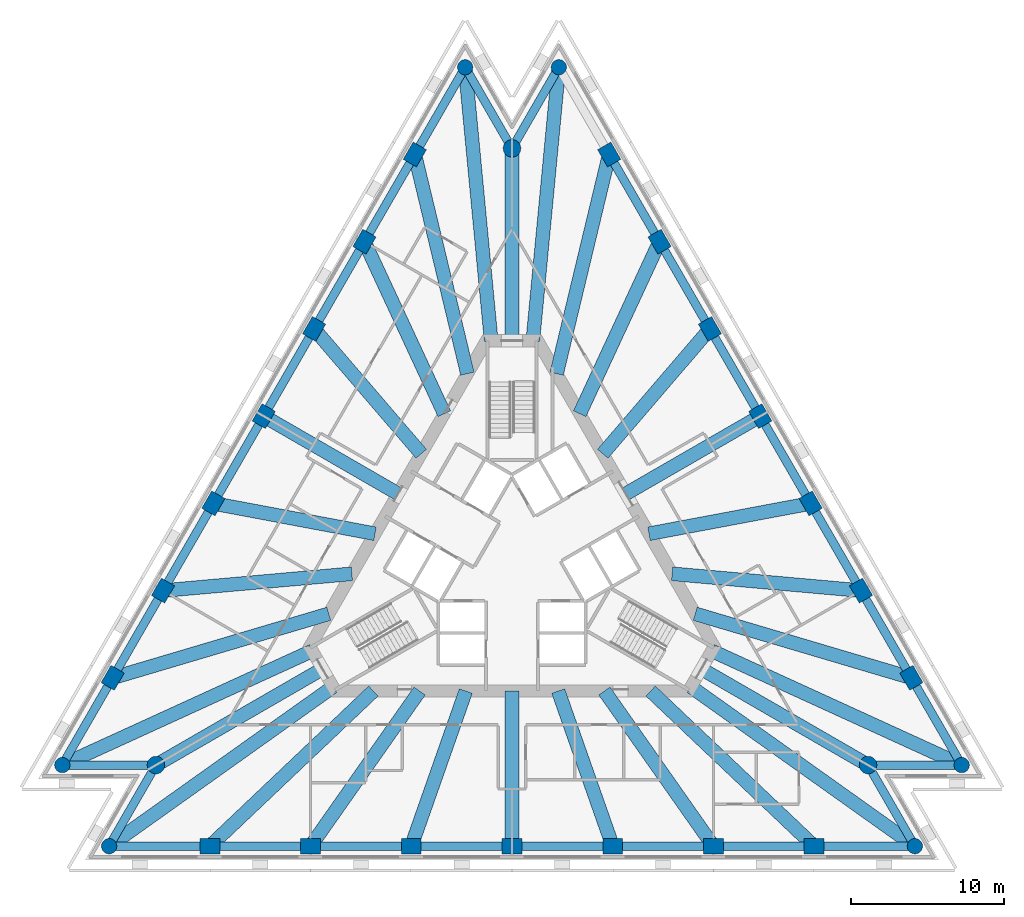
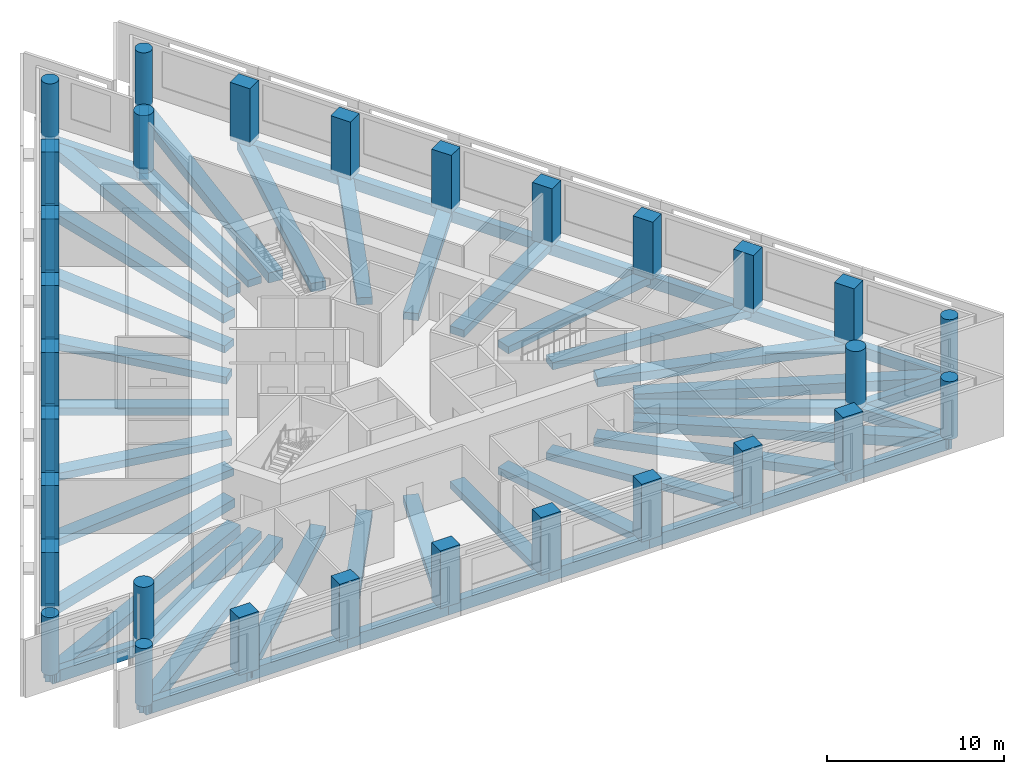
# One storey, part 1 of 10: 59 beams, 30 columns.
"""IFC4 building model written with IfcOpenShell, lengths in metres."""

from ifc_helpers import new_model, si_unit, direction, frame, origin, origin_2d, place, context, subcontext, project, spatial, rectangle, circle, extrude, material, material_profile, profile_set, type_object, element, save


model = new_model("IFC4")

# Units and contexts
model_context = context("Model", 3, precision=1e-05, world=origin(), true_north=direction((0.0, 1.0)))
body_context = subcontext(model_context, "Body", "Model", "MODEL_VIEW")
ifc_project = project(units=[si_unit("LENGTHUNIT", "METRE"), si_unit("AREAUNIT", "SQUARE_METRE"), si_unit("VOLUMEUNIT", "CUBIC_METRE"), si_unit("PLANEANGLEUNIT", "RADIAN"), si_unit("MASSUNIT", "GRAM", prefix="KILO")], contexts=[model_context])

# Site, building, storey
site_placement = place(None, origin())
site = spatial("IfcSite", under=ifc_project, at=site_placement, CompositionType="ELEMENT")
building_placement = place(site_placement, origin())
building = spatial("IfcBuilding", under=site, at=building_placement, Name="Triada Interchange Tower", CompositionType="ELEMENT")
storey_placement = place(building_placement, frame((0.0, 0.0, 160.300048828125)))
storey = spatial("IfcBuildingStorey", under=building, at=storey_placement, Name="L37", CompositionType="ELEMENT", Elevation=160.300048828125)

# Columns
ifc_material_1 = material(Name="Concrete C60/75", Category="concrete")
ifc_material_profile_1 = material_profile(ifc_material_1, rectangle(XDim=1.300048828125, YDim=1.0, at=origin_2d()), Name="RC 1300x1000")
ifc_profile_set_1 = profile_set([ifc_material_profile_1], Name="Concrete C60/75")
column_type_1 = type_object("IfcColumnType", Name="Column B face RC 1300x1000", PredefinedType="COLUMN", material=ifc_profile_set_1)
for number, where, z_axis, x_axis, name in (
    (1, (-6.35595703125, 26.48388671875, -0.300048828125), (0.0, 0.0, 1.0), (0.5, 0.866025403784, 0.0), "Column CB02 L37"),
    (2, (-9.64892578125, 20.781005859375, -0.300048828125), (0.0, 0.0, 1.0), (0.5, 0.866025403784, 0.0), "Column CB03 L37"),
    (3, (-12.94189453125, 15.076904296875, -0.300048828125), (0.0, 0.0, 1.0), (0.5, 0.866025403784, 0.0), "Column CB04 L37"),
    (4, (-16.23388671875, 9.373046875, -0.300048828125), (0.0, 0.0, 1.0), (0.5, 0.866025403784, 0.0), "Column CB05 L37"),
    (5, (-19.527099609375, 3.6689453125, -0.300048828125), (0.0, 0.0, 1.0), (0.5, 0.866025403784, 0.0), "Column CB06 L37"),
    (6, (-22.820068359375, -2.034912109375, -0.300048828125), (0.0, 0.0, 1.0), (0.5, 0.866025403784, 0.0), "Column CB07 L37"),
    (7, (-26.113037109375, -7.738037109375, -0.300048828125), (0.0, 0.0, 1.0), (0.5, 0.866025403784, 0.0), "Column CB08 L37"),
    (8, (-19.758056640625, -18.74609375, -0.300048828125), (0.0, 0.0, 1.0), (1.0, 0.0, 0.0), "Column CB11 L37"),
    (9, (-13.172119140625, -18.74609375, -0.300048828125), (0.0, 0.0, 1.0), (1.0, 0.0, 0.0), "Column CB12 L37"),
    (10, (-6.5859375, -18.74609375, -0.300048828125), (0.0, 0.0, 1.0), (1.0, 0.0, 0.0), "Column CB13 L37"),
    (11, (0.0, -18.74609375, -0.300048828125), (0.0, 0.0, 1.0), (1.0, 0.0, 0.0), "Column CB14 L37"),
    (12, (6.5859375, -18.74609375, -0.300048828125), (0.0, 0.0, 1.0), (1.0, 0.0, 0.0), "Column CB15 L37"),
    (13, (13.172119140625, -18.74609375, -0.300048828125), (0.0, 0.0, 1.0), (1.0, 0.0, 0.0), "Column CB16 L37"),
    (14, (19.758056640625, -18.74609375, -0.300048828125), (0.0, 0.0, 1.0), (1.0, 0.0, 0.0), "Column CB17 L37"),
    (15, (26.113037109375, -7.738037109375, -0.300048828125), (0.0, 0.0, 1.0), (-0.5, 0.866025403784, 0.0), "Column CB20 L37"),
    (16, (22.820068359375, -2.033935546875, -0.300048828125), (0.0, 0.0, 1.0), (-0.5, 0.866025403784, 0.0), "Column CB21 L37"),
    (17, (19.527099609375, 3.6689453125, -0.300048828125), (0.0, 0.0, 1.0), (-0.5, 0.866025403784, 0.0), "Column CB22 L37"),
    (18, (16.23388671875, 9.373046875, -0.300048828125), (0.0, 0.0, 1.0), (-0.5, 0.866025403784, 0.0), "Column CB23 L37"),
    (19, (12.94189453125, 15.076904296875, -0.300048828125), (0.0, 0.0, 1.0), (-0.5, 0.866025403784, 0.0), "Column CB24 L37"),
    (20, (9.64892578125, 20.781005859375, -0.300048828125), (0.0, 0.0, 1.0), (-0.5, 0.866025403784, 0.0), "Column CB25 L37"),
    (21, (6.35595703125, 26.48388671875, -0.300048828125), (0.0, 0.0, 1.0), (-0.5, 0.866025403784, 0.0), "Column CB26 L37"),
):
    element("IfcColumn", number, at=place(storey_placement, frame(where, z_axis=z_axis, x_axis=x_axis)), inside=storey, type_object=column_type_1, Name=name, PredefinedType="COLUMN", context=body_context, shape_type="SweptSolid", body=[
        extrude(rectangle(XDim=1.300048828125, YDim=1.0, at=origin_2d()), origin(), (0.0, 0.0, 1.0), 4.0),
    ])
ifc_material_profile_2 = material_profile(ifc_material_1, circle(Radius=0.5, at=origin_2d()), Name="RC D1000")
ifc_profile_set_2 = profile_set([ifc_material_profile_2], Name="Concrete C60/75")
column_type_2 = type_object("IfcColumnType", Name="End column B RC D1000", PredefinedType="COLUMN", material=ifc_profile_set_2)
for number, where, z_axis, x_axis, name in (
    (22, (-3.06298828125, 32.18798828125, -0.300048828125), (0.0, 0.0, 1.0), (0.5, 0.866025403784, 0.0), "Column CB01 L37"),
    (23, (-29.406005859375, -13.44189453125, -0.300048828125), (0.0, 0.0, 1.0), (0.5, 0.866025403784, 0.0), "Column CB09 L37"),
    (24, (-26.343994140625, -18.74609375, -0.300048828125), (0.0, 0.0, 1.0), (1.0, 0.0, 0.0), "Column CB10 L37"),
    (25, (26.343994140625, -18.74609375, -0.300048828125), (0.0, 0.0, 1.0), (1.0, 0.0, 0.0), "Column CB18 L37"),
    (26, (29.406005859375, -13.44189453125, -0.300048828125), (0.0, 0.0, 1.0), (-0.5, 0.866025403784, 0.0), "Column CB19 L37"),
    (27, (3.06298828125, 32.18798828125, -0.300048828125), (0.0, 0.0, 1.0), (-0.5, 0.866025403784, 0.0), "Column CB27 L37"),
):
    element("IfcColumn", number, at=place(storey_placement, frame(where, z_axis=z_axis, x_axis=x_axis)), inside=storey, type_object=column_type_2, Name=name, PredefinedType="COLUMN", context=body_context, shape_type="SweptSolid", body=[
        extrude(circle(Radius=0.5, at=origin_2d()), origin(), (0.0, 0.0, 1.0), 4.0),
    ])
ifc_material_profile_3 = material_profile(ifc_material_1, circle(Radius=0.574951171875, at=origin_2d()), Name="RC D1150")
ifc_profile_set_3 = profile_set([ifc_material_profile_3], Name="Concrete C60/75")
column_type_3 = type_object("IfcColumnType", Name="Mega column B RC D1150", PredefinedType="COLUMN", material=ifc_profile_set_3)
for number, where, z_axis, x_axis, name in (
    (28, (0.0, 26.883056640625, -0.300048828125), (0.0, 0.0, 1.0), (1.0, 0.0, 0.0), "Column MB1 L37"),
    (29, (-23.281005859375, -13.44189453125, -0.300048828125), (0.0, 0.0, 1.0), (1.0, 0.0, 0.0), "Column MB2 L37"),
    (30, (23.281005859375, -13.44189453125, -0.300048828125), (0.0, 0.0, 1.0), (1.0, 0.0, 0.0), "Column MB3 L37"),
):
    element("IfcColumn", number, at=place(storey_placement, frame(where, z_axis=z_axis, x_axis=x_axis)), inside=storey, type_object=column_type_3, Name=name, PredefinedType="COLUMN", context=body_context, shape_type="SweptSolid", body=[
        extrude(circle(Radius=0.574951171875, at=origin_2d()), origin(), (0.0, 0.0, 1.0), 4.0),
    ])

# Beams
ifc_material_2 = material(Name="Concrete C50/60", Category="concrete")
ifc_material_profile_4 = material_profile(ifc_material_2, rectangle(XDim=0.89990234375, YDim=0.5, at=origin_2d()), Name="RC 900x500")
ifc_profile_set_4 = profile_set([ifc_material_profile_4], Name="Concrete C50/60")
beam_type_1 = type_object("IfcBeamType", Name="Radial band beam B RC 900x500", PredefinedType="BEAM", material=ifc_profile_set_4)
beam_1_placement = place(storey_placement, frame((-9.64892578125, 20.781005859375, -0.550048828125), z_axis=(0.421150637496, -0.906990705871, 0.0), x_axis=(0.906990705871, 0.421150637496, 0.0)))
element("IfcBeam", 31, at=beam_1_placement, inside=storey, type_object=beam_type_1, Name="Radial band beam BB03 L37", PredefinedType="BEAM", context=body_context, shape_type="SweptSolid", body=[
    extrude(rectangle(XDim=0.89990234375, YDim=0.5, at=origin_2d()), origin(), (0.0, 0.0, 1.0), 12.401611328125),
])
beam_2_placement = place(storey_placement, frame((-12.94189453125, 15.076904296875, -0.550048828125), z_axis=(0.651318398791, -0.758804548877, 0.0), x_axis=(0.758804548877, 0.651318398791, 0.0)))
element("IfcBeam", 32, at=beam_2_placement, inside=storey, type_object=beam_type_1, Name="Radial band beam BB04 L37", PredefinedType="BEAM", context=body_context, shape_type="SweptSolid", body=[
    extrude(rectangle(XDim=0.89990234375, YDim=0.5, at=origin_2d()), origin(), (0.0, 0.0, 1.0), 10.7548828125),
])
beam_3_placement = place(storey_placement, frame((-16.23388671875, 9.373046875, -0.550048828125), z_axis=(0.866005647856, -0.500034216711, 0.0), x_axis=(0.500034216711, 0.866005647856, 0.0)))
element("IfcBeam", 33, at=beam_3_placement, inside=storey, type_object=beam_type_1, Name="Radial band beam BB05 L37", PredefinedType="BEAM", context=body_context, shape_type="SweptSolid", body=[
    extrude(rectangle(XDim=0.89990234375, YDim=0.5, at=origin_2d()), origin(), (0.0, 0.0, 1.0), 10.145263671875),
])
beam_4_placement = place(storey_placement, frame((-19.527099609375, 3.6689453125, -0.550048828125), z_axis=(0.982802467996, -0.18465998186, 0.0), x_axis=(0.18465998186, 0.982802467996, 0.0)))
element("IfcBeam", 34, at=beam_4_placement, inside=storey, type_object=beam_type_1, Name="Radial band beam BB06 L37", PredefinedType="BEAM", context=body_context, shape_type="SweptSolid", body=[
    extrude(rectangle(XDim=0.89990234375, YDim=0.5, at=origin_2d()), origin(), (0.0, 0.0, 1.0), 10.754150390625),
])
beam_5_placement = place(storey_placement, frame((-22.820068359375, -2.034912109375, -0.550048828125), z_axis=(0.996051583015, 0.088776370583, 0.0), x_axis=(-0.088776370583, 0.996051583015, 0.0)))
element("IfcBeam", 35, at=beam_5_placement, inside=storey, type_object=beam_type_1, Name="Radial band beam BB07 L37", PredefinedType="BEAM", context=body_context, shape_type="SweptSolid", body=[
    extrude(rectangle(XDim=0.89990234375, YDim=0.5, at=origin_2d()), origin(), (0.0, 0.0, 1.0), 12.400146484375),
])
beam_6_placement = place(storey_placement, frame((-23.281005859375, -13.44189453125, -0.550048828125), z_axis=(0.866003995359, 0.500037078648, 0.0), x_axis=(-0.500037078648, 0.866003995359, 0.0)))
element("IfcBeam", 36, at=beam_6_placement, inside=storey, type_object=beam_type_1, Name="Radial band beam BB10 L37", PredefinedType="BEAM", context=body_context, shape_type="SweptSolid", body=[
    extrude(rectangle(XDim=0.89990234375, YDim=0.5, at=origin_2d()), origin(), (0.0, 0.0, 1.0), 12.5830078125),
])
beam_7_placement = place(storey_placement, frame((-13.172119140625, -18.74609375, -0.550048828125), z_axis=(0.57492022482, 0.818209468958, 0.0), x_axis=(-0.818209468958, 0.57492022482, 0.0)))
element("IfcBeam", 37, at=beam_7_placement, inside=storey, type_object=beam_type_1, Name="Radial band beam BB13 L37", PredefinedType="BEAM", context=body_context, shape_type="SweptSolid", body=[
    extrude(rectangle(XDim=0.89990234375, YDim=0.5, at=origin_2d()), origin(), (0.0, 0.0, 1.0), 12.400146484375),
])
beam_8_placement = place(storey_placement, frame((-6.5859375, -18.74609375, -0.550048828125), z_axis=(0.331496918005, 0.943456301772, 0.0), x_axis=(-0.943456301772, 0.331496918005, 0.0)))
element("IfcBeam", 38, at=beam_8_placement, inside=storey, type_object=beam_type_1, Name="Radial band beam BB14 L37", PredefinedType="BEAM", context=body_context, shape_type="SweptSolid", body=[
    extrude(rectangle(XDim=0.89990234375, YDim=0.5, at=origin_2d()), origin(), (0.0, 0.0, 1.0), 10.754150390625),
])
beam_9_placement = place(storey_placement, frame((0.0, -18.74609375, -0.550048828125), z_axis=(0.0, 1.0, 0.0), x_axis=(-1.0, 0.0, 0.0)))
element("IfcBeam", 39, at=beam_9_placement, inside=storey, type_object=beam_type_1, Name="Radial band beam BB15 L37", PredefinedType="BEAM", context=body_context, shape_type="SweptSolid", body=[
    extrude(rectangle(XDim=0.89990234375, YDim=0.5, at=origin_2d()), origin(), (0.0, 0.0, 1.0), 10.14599609375),
])
beam_10_placement = place(storey_placement, frame((6.5859375, -18.74609375, -0.550048828125), z_axis=(-0.331496918005, 0.943456301772, 0.0), x_axis=(-0.943456301772, -0.331496918005, 0.0)))
element("IfcBeam", 40, at=beam_10_placement, inside=storey, type_object=beam_type_1, Name="Radial band beam BB16 L37", PredefinedType="BEAM", context=body_context, shape_type="SweptSolid", body=[
    extrude(rectangle(XDim=0.89990234375, YDim=0.5, at=origin_2d()), origin(), (0.0, 0.0, 1.0), 10.754150390625),
])
beam_11_placement = place(storey_placement, frame((13.172119140625, -18.74609375, -0.550048828125), z_axis=(-0.57492022482, 0.818209468958, 0.0), x_axis=(-0.818209468958, -0.57492022482, 0.0)))
element("IfcBeam", 41, at=beam_11_placement, inside=storey, type_object=beam_type_1, Name="Radial band beam BB17 L37", PredefinedType="BEAM", context=body_context, shape_type="SweptSolid", body=[
    extrude(rectangle(XDim=0.89990234375, YDim=0.5, at=origin_2d()), origin(), (0.0, 0.0, 1.0), 12.400146484375),
])
beam_12_placement = place(storey_placement, frame((23.281005859375, -13.44189453125, -0.550048828125), z_axis=(-0.866003995359, 0.500037078648, 0.0), x_axis=(-0.500037078648, -0.866003995359, 0.0)))
element("IfcBeam", 42, at=beam_12_placement, inside=storey, type_object=beam_type_1, Name="Radial band beam BB20 L37", PredefinedType="BEAM", context=body_context, shape_type="SweptSolid", body=[
    extrude(rectangle(XDim=0.89990234375, YDim=0.5, at=origin_2d()), origin(), (0.0, 0.0, 1.0), 12.5830078125),
])
beam_13_placement = place(storey_placement, frame((22.820068359375, -2.033935546875, -0.550048828125), z_axis=(-0.996051583015, 0.088776370583, 0.0), x_axis=(-0.088776370583, -0.996051583015, 0.0)))
element("IfcBeam", 43, at=beam_13_placement, inside=storey, type_object=beam_type_1, Name="Radial band beam BB23 L37", PredefinedType="BEAM", context=body_context, shape_type="SweptSolid", body=[
    extrude(rectangle(XDim=0.89990234375, YDim=0.5, at=origin_2d()), origin(), (0.0, 0.0, 1.0), 12.400146484375),
])
beam_14_placement = place(storey_placement, frame((19.527099609375, 3.6689453125, -0.550048828125), z_axis=(-0.982802467996, -0.18465998186, 0.0), x_axis=(0.18465998186, -0.982802467996, 0.0)))
element("IfcBeam", 44, at=beam_14_placement, inside=storey, type_object=beam_type_1, Name="Radial band beam BB24 L37", PredefinedType="BEAM", context=body_context, shape_type="SweptSolid", body=[
    extrude(rectangle(XDim=0.89990234375, YDim=0.5, at=origin_2d()), origin(), (0.0, 0.0, 1.0), 10.754150390625),
])
beam_15_placement = place(storey_placement, frame((16.23388671875, 9.373046875, -0.550048828125), z_axis=(-0.866005647856, -0.500034216711, 0.0), x_axis=(0.500034216711, -0.866005647856, 0.0)))
element("IfcBeam", 45, at=beam_15_placement, inside=storey, type_object=beam_type_1, Name="Radial band beam BB25 L37", PredefinedType="BEAM", context=body_context, shape_type="SweptSolid", body=[
    extrude(rectangle(XDim=0.89990234375, YDim=0.5, at=origin_2d()), origin(), (0.0, 0.0, 1.0), 10.145263671875),
])
beam_16_placement = place(storey_placement, frame((12.94189453125, 15.076904296875, -0.550048828125), z_axis=(-0.651318398791, -0.758804548877, 0.0), x_axis=(0.758804548877, -0.651318398791, 0.0)))
element("IfcBeam", 46, at=beam_16_placement, inside=storey, type_object=beam_type_1, Name="Radial band beam BB26 L37", PredefinedType="BEAM", context=body_context, shape_type="SweptSolid", body=[
    extrude(rectangle(XDim=0.89990234375, YDim=0.5, at=origin_2d()), origin(), (0.0, 0.0, 1.0), 10.7548828125),
])
beam_17_placement = place(storey_placement, frame((9.64892578125, 20.781005859375, -0.550048828125), z_axis=(-0.421150637496, -0.906990705871, 0.0), x_axis=(0.906990705871, -0.421150637496, 0.0)))
element("IfcBeam", 47, at=beam_17_placement, inside=storey, type_object=beam_type_1, Name="Radial band beam BB27 L37", PredefinedType="BEAM", context=body_context, shape_type="SweptSolid", body=[
    extrude(rectangle(XDim=0.89990234375, YDim=0.5, at=origin_2d()), origin(), (0.0, 0.0, 1.0), 12.401611328125),
])
beam_18_placement = place(storey_placement, frame((0.0, 26.883056640625, -0.550048828125), z_axis=(0.0, -1.0, 0.0), x_axis=(1.0, 0.0, 0.0)))
element("IfcBeam", 48, at=beam_18_placement, inside=storey, type_object=beam_type_1, Name="Radial band beam BB30 L37", PredefinedType="BEAM", context=body_context, shape_type="SweptSolid", body=[
    extrude(rectangle(XDim=0.89990234375, YDim=0.5, at=origin_2d()), origin(), (0.0, 0.0, 1.0), 12.5830078125),
])
ifc_material_profile_5 = material_profile(ifc_material_2, rectangle(XDim=0.89990234375, YDim=0.60009765625, at=origin_2d()), Name="RC 900x600")
ifc_profile_set_5 = profile_set([ifc_material_profile_5], Name="Concrete C50/60")
beam_type_2 = type_object("IfcBeamType", Name="Radial band beam B RC 900x600", PredefinedType="BEAM", material=ifc_profile_set_5)
beam_19_placement = place(storey_placement, frame((-6.35595703125, 26.48388671875, -0.60009765625), z_axis=(0.233344139784, -0.972394216575, 0.0), x_axis=(0.972394216575, 0.233344139784, 0.0)))
element("IfcBeam", 49, at=beam_19_placement, inside=storey, type_object=beam_type_2, Name="Radial band beam BB02 L37", PredefinedType="BEAM", context=body_context, shape_type="SweptSolid", body=[
    extrude(rectangle(XDim=0.89990234375, YDim=0.60009765625, at=origin_2d()), origin(), (0.0, 0.0, 1.0), 14.741943359375),
])
beam_20_placement = place(storey_placement, frame((-26.113037109375, -7.738037109375, -0.60009765625), z_axis=(0.958790426324, 0.28411426995, 0.0), x_axis=(-0.28411426995, 0.958790426324, 0.0)))
element("IfcBeam", 50, at=beam_20_placement, inside=storey, type_object=beam_type_2, Name="Radial band beam BB08 L37", PredefinedType="BEAM", context=body_context, shape_type="SweptSolid", body=[
    extrude(rectangle(XDim=0.89990234375, YDim=0.60009765625, at=origin_2d()), origin(), (0.0, 0.0, 1.0), 14.740478515625),
])
for number, where, z_axis, x_axis, name in (
    (51, (-19.758056640625, -18.74609375, -0.60009765625), (0.725452884593, 0.688271830192, 0.0), (-0.688271830192, 0.725452884593, 0.0), "Radial band beam BB12 L37"),
    (52, (19.758056640625, -18.74609375, -0.60009765625), (-0.725452884593, 0.688271830192, 0.0), (-0.688271830192, -0.725452884593, 0.0), "Radial band beam BB18 L37"),
):
    element("IfcBeam", number, at=place(storey_placement, frame(where, z_axis=z_axis, x_axis=x_axis)), inside=storey, type_object=beam_type_2, Name=name, PredefinedType="BEAM", context=body_context, shape_type="SweptSolid", body=[
        extrude(rectangle(XDim=0.89990234375, YDim=0.60009765625, at=origin_2d()), origin(), (0.0, 0.0, 1.0), 14.7412109375),
    ])
beam_21_placement = place(storey_placement, frame((26.113037109375, -7.738037109375, -0.60009765625), z_axis=(-0.958790426324, 0.28411426995, 0.0), x_axis=(-0.28411426995, -0.958790426324, 0.0)))
element("IfcBeam", 53, at=beam_21_placement, inside=storey, type_object=beam_type_2, Name="Radial band beam BB22 L37", PredefinedType="BEAM", context=body_context, shape_type="SweptSolid", body=[
    extrude(rectangle(XDim=0.89990234375, YDim=0.60009765625, at=origin_2d()), origin(), (0.0, 0.0, 1.0), 14.740478515625),
])
beam_22_placement = place(storey_placement, frame((6.35595703125, 26.48388671875, -0.60009765625), z_axis=(-0.233344139784, -0.972394216575, 0.0), x_axis=(0.972394216575, -0.233344139784, 0.0)))
element("IfcBeam", 54, at=beam_22_placement, inside=storey, type_object=beam_type_2, Name="Radial band beam BB28 L37", PredefinedType="BEAM", context=body_context, shape_type="SweptSolid", body=[
    extrude(rectangle(XDim=0.89990234375, YDim=0.60009765625, at=origin_2d()), origin(), (0.0, 0.0, 1.0), 14.741943359375),
])
ifc_material_profile_6 = material_profile(ifc_material_2, rectangle(XDim=0.89990234375, YDim=0.699951171875, at=origin_2d()), Name="RC 900x700")
ifc_profile_set_6 = profile_set([ifc_material_profile_6], Name="Concrete C50/60")
beam_type_3 = type_object("IfcBeamType", Name="Radial band beam B RC 900x700", PredefinedType="BEAM", material=ifc_profile_set_6)
beam_23_placement = place(storey_placement, frame((-3.06298828125, 32.18798828125, -0.650146484375), z_axis=(0.094714838253, -0.995504444699, 0.0), x_axis=(0.995504444699, 0.094714838253, 0.0)))
element("IfcBeam", 55, at=beam_23_placement, inside=storey, type_object=beam_type_3, Name="Radial band beam BB01 L37", PredefinedType="BEAM", context=body_context, shape_type="SweptSolid", body=[
    extrude(rectangle(XDim=0.89990234375, YDim=0.699951171875, at=origin_2d()), origin(), (0.0, 0.0, 1.0), 17.96875),
])
beam_24_placement = place(storey_placement, frame((-29.406005859375, -13.44189453125, -0.650146484375), z_axis=(0.909488713667, 0.415728613055, 0.0), x_axis=(-0.415728613055, 0.909488713667, 0.0)))
element("IfcBeam", 56, at=beam_24_placement, inside=storey, type_object=beam_type_3, Name="Radial band beam BB09 L37", PredefinedType="BEAM", context=body_context, shape_type="SweptSolid", body=[
    extrude(rectangle(XDim=0.89990234375, YDim=0.699951171875, at=origin_2d()), origin(), (0.0, 0.0, 1.0), 17.96826171875),
])
for number, where, z_axis, x_axis, name in (
    (57, (-26.343994140625, -18.74609375, -0.650146484375), (0.814754921858, 0.579805499549, 0.0), (-0.579805499549, 0.814754921858, 0.0), "Radial band beam BB11 L37"),
    (58, (26.343994140625, -18.74609375, -0.650146484375), (-0.814754921858, 0.579805499549, 0.0), (-0.579805499549, -0.814754921858, 0.0), "Radial band beam BB19 L37"),
):
    element("IfcBeam", number, at=place(storey_placement, frame(where, z_axis=z_axis, x_axis=x_axis)), inside=storey, type_object=beam_type_3, Name=name, PredefinedType="BEAM", context=body_context, shape_type="SweptSolid", body=[
        extrude(rectangle(XDim=0.89990234375, YDim=0.699951171875, at=origin_2d()), origin(), (0.0, 0.0, 1.0), 17.968505859375),
    ])
beam_25_placement = place(storey_placement, frame((29.406005859375, -13.44189453125, -0.650146484375), z_axis=(-0.909488713667, 0.415728613055, 0.0), x_axis=(-0.415728613055, -0.909488713667, 0.0)))
element("IfcBeam", 59, at=beam_25_placement, inside=storey, type_object=beam_type_3, Name="Radial band beam BB21 L37", PredefinedType="BEAM", context=body_context, shape_type="SweptSolid", body=[
    extrude(rectangle(XDim=0.89990234375, YDim=0.699951171875, at=origin_2d()), origin(), (0.0, 0.0, 1.0), 17.96826171875),
])
beam_26_placement = place(storey_placement, frame((3.06298828125, 32.18798828125, -0.650146484375), z_axis=(-0.094714838253, -0.995504444699, 0.0), x_axis=(0.995504444699, -0.094714838253, 0.0)))
element("IfcBeam", 60, at=beam_26_placement, inside=storey, type_object=beam_type_3, Name="Radial band beam BB29 L37", PredefinedType="BEAM", context=body_context, shape_type="SweptSolid", body=[
    extrude(rectangle(XDim=0.89990234375, YDim=0.699951171875, at=origin_2d()), origin(), (0.0, 0.0, 1.0), 17.96875),
])
ifc_material_profile_7 = material_profile(ifc_material_2, rectangle(XDim=0.550048828125, YDim=0.800048828125, at=origin_2d()), Name="RC 550x800")
ifc_profile_set_7 = profile_set([ifc_material_profile_7], Name="Concrete C50/60")
beam_type_4 = type_object("IfcBeamType", Name="Spandrel beam B RC 550x800", PredefinedType="BEAM", material=ifc_profile_set_7)
beam_27_placement = place(storey_placement, frame((-3.06298828125, 32.18798828125, -0.699951171875), z_axis=(-0.499966313909, -0.866044851585, 0.0), x_axis=(0.866044851585, -0.499966313909, 0.0)))
element("IfcBeam", 61, at=beam_27_placement, inside=storey, type_object=beam_type_4, Name="Spandrel beam EB01 L37", PredefinedType="BEAM", context=body_context, shape_type="SweptSolid", body=[
    extrude(rectangle(XDim=0.550048828125, YDim=0.800048828125, at=origin_2d()), origin(), (0.0, 0.0, 1.0), 6.58642578125),
])
beam_28_placement = place(storey_placement, frame((-6.35595703125, 26.48388671875, -0.699951171875), z_axis=(-0.500046574511, -0.865998512308, 0.0), x_axis=(0.865998512308, -0.500046574511, 0.0)))
element("IfcBeam", 62, at=beam_28_placement, inside=storey, type_object=beam_type_4, Name="Spandrel beam EB02 L37", PredefinedType="BEAM", context=body_context, shape_type="SweptSolid", body=[
    extrude(rectangle(XDim=0.550048828125, YDim=0.800048828125, at=origin_2d()), origin(), (0.0, 0.0, 1.0), 6.585205078125),
])
beam_29_placement = place(storey_placement, frame((-9.64892578125, 20.781005859375, -0.699951171875), z_axis=(-0.499966313909, -0.866044851585, 0.0), x_axis=(0.866044851585, -0.499966313909, 0.0)))
element("IfcBeam", 63, at=beam_29_placement, inside=storey, type_object=beam_type_4, Name="Spandrel beam EB03 L37", PredefinedType="BEAM", context=body_context, shape_type="SweptSolid", body=[
    extrude(rectangle(XDim=0.550048828125, YDim=0.800048828125, at=origin_2d()), origin(), (0.0, 0.0, 1.0), 6.58642578125),
])
beam_30_placement = place(storey_placement, frame((-12.94189453125, 15.076904296875, -0.699951171875), z_axis=(-0.499871143288, -0.866099786461, 0.0), x_axis=(0.866099786461, -0.499871143288, 0.0)))
element("IfcBeam", 64, at=beam_30_placement, inside=storey, type_object=beam_type_4, Name="Spandrel beam EB04 L37", PredefinedType="BEAM", context=body_context, shape_type="SweptSolid", body=[
    extrude(rectangle(XDim=0.550048828125, YDim=0.800048828125, at=origin_2d()), origin(), (0.0, 0.0, 1.0), 6.585693359375),
])
beam_31_placement = place(storey_placement, frame((-16.23388671875, 9.373046875, -0.699951171875), z_axis=(-0.499994115003, -0.866028801462, 0.0), x_axis=(0.866028801462, -0.499994115003, 0.0)))
element("IfcBeam", 65, at=beam_31_placement, inside=storey, type_object=beam_type_4, Name="Spandrel beam EB05 L37", PredefinedType="BEAM", context=body_context, shape_type="SweptSolid", body=[
    extrude(rectangle(XDim=0.550048828125, YDim=0.800048828125, at=origin_2d()), origin(), (0.0, 0.0, 1.0), 6.58642578125),
])
beam_32_placement = place(storey_placement, frame((-19.527099609375, 3.6689453125, -0.699951171875), z_axis=(-0.499982364312, -0.866035585514, 0.0), x_axis=(0.866035585514, -0.499982364312, 0.0)))
element("IfcBeam", 66, at=beam_32_placement, inside=storey, type_object=beam_type_4, Name="Spandrel beam EB06 L37", PredefinedType="BEAM", context=body_context, shape_type="SweptSolid", body=[
    extrude(rectangle(XDim=0.550048828125, YDim=0.800048828125, at=origin_2d()), origin(), (0.0, 0.0, 1.0), 6.586181640625),
])
beam_33_placement = place(storey_placement, frame((-22.820068359375, -2.034912109375, -0.699951171875), z_axis=(-0.500030520673, -0.866007781949, 0.0), x_axis=(0.866007781949, -0.500030520673, 0.0)))
element("IfcBeam", 67, at=beam_33_placement, inside=storey, type_object=beam_type_4, Name="Spandrel beam EB07 L37", PredefinedType="BEAM", context=body_context, shape_type="SweptSolid", body=[
    extrude(rectangle(XDim=0.550048828125, YDim=0.800048828125, at=origin_2d()), origin(), (0.0, 0.0, 1.0), 6.58544921875),
])
beam_34_placement = place(storey_placement, frame((-26.113037109375, -7.738037109375, -0.699951171875), z_axis=(-0.499982364312, -0.866035585514, 0.0), x_axis=(0.866035585514, -0.499982364312, 0.0)))
element("IfcBeam", 68, at=beam_34_placement, inside=storey, type_object=beam_type_4, Name="Spandrel beam EB08 L37", PredefinedType="BEAM", context=body_context, shape_type="SweptSolid", body=[
    extrude(rectangle(XDim=0.550048828125, YDim=0.800048828125, at=origin_2d()), origin(), (0.0, 0.0, 1.0), 6.586181640625),
])
for number, where, z_axis, x_axis, name in (
    (69, (-29.406005859375, -13.44189453125, -0.699951171875), (1.0, 0.0, 0.0), (0.0, 1.0, 0.0), "Spandrel beam EB09 L37"),
    (70, (-23.281005859375, -13.44189453125, -0.699951171875), (-0.500074377092, -0.865982457891, 0.0), (0.865982457891, -0.500074377092, 0.0), "Spandrel beam EB10 L37"),
):
    element("IfcBeam", number, at=place(storey_placement, frame(where, z_axis=z_axis, x_axis=x_axis)), inside=storey, type_object=beam_type_4, Name=name, PredefinedType="BEAM", context=body_context, shape_type="SweptSolid", body=[
        extrude(rectangle(XDim=0.550048828125, YDim=0.800048828125, at=origin_2d()), origin(), (0.0, 0.0, 1.0), 6.125),
    ])
for number, where, z_axis, x_axis, name in (
    (71, (-26.343994140625, -18.74609375, -0.699951171875), (1.0, 0.0, 0.0), (0.0, 1.0, 0.0), "Spandrel beam EB11 L37"),
    (72, (-19.758056640625, -18.74609375, -0.699951171875), (1.0, 0.0, 0.0), (0.0, 1.0, 0.0), "Spandrel beam EB12 L37"),
):
    element("IfcBeam", number, at=place(storey_placement, frame(where, z_axis=z_axis, x_axis=x_axis)), inside=storey, type_object=beam_type_4, Name=name, PredefinedType="BEAM", context=body_context, shape_type="SweptSolid", body=[
        extrude(rectangle(XDim=0.550048828125, YDim=0.800048828125, at=origin_2d()), origin(), (0.0, 0.0, 1.0), 6.5859375),
    ])
beam_35_placement = place(storey_placement, frame((-13.172119140625, -18.74609375, -0.699951171875), z_axis=(1.0, 0.0, 0.0), x_axis=(0.0, 1.0, 0.0)))
element("IfcBeam", 73, at=beam_35_placement, inside=storey, type_object=beam_type_4, Name="Spandrel beam EB13 L37", PredefinedType="BEAM", context=body_context, shape_type="SweptSolid", body=[
    extrude(rectangle(XDim=0.550048828125, YDim=0.800048828125, at=origin_2d()), origin(), (0.0, 0.0, 1.0), 6.586181640625),
])
for number, where, z_axis, x_axis, name in (
    (74, (-6.5859375, -18.74609375, -0.699951171875), (1.0, 0.0, 0.0), (0.0, 1.0, 0.0), "Spandrel beam EB14 L37"),
    (75, (0.0, -18.74609375, -0.699951171875), (1.0, 0.0, 0.0), (0.0, 1.0, 0.0), "Spandrel beam EB15 L37"),
):
    element("IfcBeam", number, at=place(storey_placement, frame(where, z_axis=z_axis, x_axis=x_axis)), inside=storey, type_object=beam_type_4, Name=name, PredefinedType="BEAM", context=body_context, shape_type="SweptSolid", body=[
        extrude(rectangle(XDim=0.550048828125, YDim=0.800048828125, at=origin_2d()), origin(), (0.0, 0.0, 1.0), 6.5859375),
    ])
beam_36_placement = place(storey_placement, frame((6.5859375, -18.74609375, -0.699951171875), z_axis=(1.0, 0.0, 0.0), x_axis=(0.0, 1.0, 0.0)))
element("IfcBeam", 76, at=beam_36_placement, inside=storey, type_object=beam_type_4, Name="Spandrel beam EB16 L37", PredefinedType="BEAM", context=body_context, shape_type="SweptSolid", body=[
    extrude(rectangle(XDim=0.550048828125, YDim=0.800048828125, at=origin_2d()), origin(), (0.0, 0.0, 1.0), 6.586181640625),
])
for number, where, z_axis, x_axis, name in (
    (77, (13.172119140625, -18.74609375, -0.699951171875), (1.0, 0.0, 0.0), (0.0, 1.0, 0.0), "Spandrel beam EB17 L37"),
    (78, (19.758056640625, -18.74609375, -0.699951171875), (1.0, 0.0, 0.0), (0.0, 1.0, 0.0), "Spandrel beam EB18 L37"),
):
    element("IfcBeam", number, at=place(storey_placement, frame(where, z_axis=z_axis, x_axis=x_axis)), inside=storey, type_object=beam_type_4, Name=name, PredefinedType="BEAM", context=body_context, shape_type="SweptSolid", body=[
        extrude(rectangle(XDim=0.550048828125, YDim=0.800048828125, at=origin_2d()), origin(), (0.0, 0.0, 1.0), 6.5859375),
    ])
for number, where, z_axis, x_axis, name in (
    (79, (26.343994140625, -18.74609375, -0.699951171875), (-0.500074377092, 0.865982457891, 0.0), (-0.865982457891, -0.500074377092, 0.0), "Spandrel beam EB19 L37"),
    (80, (23.281005859375, -13.44189453125, -0.699951171875), (1.0, 0.0, 0.0), (0.0, 1.0, 0.0), "Spandrel beam EB20 L37"),
):
    element("IfcBeam", number, at=place(storey_placement, frame(where, z_axis=z_axis, x_axis=x_axis)), inside=storey, type_object=beam_type_4, Name=name, PredefinedType="BEAM", context=body_context, shape_type="SweptSolid", body=[
        extrude(rectangle(XDim=0.550048828125, YDim=0.800048828125, at=origin_2d()), origin(), (0.0, 0.0, 1.0), 6.125),
    ])
beam_37_placement = place(storey_placement, frame((29.406005859375, -13.44189453125, -0.699951171875), z_axis=(-0.499982364312, 0.866035585514, 0.0), x_axis=(-0.866035585514, -0.499982364312, 0.0)))
element("IfcBeam", 81, at=beam_37_placement, inside=storey, type_object=beam_type_4, Name="Spandrel beam EB21 L37", PredefinedType="BEAM", context=body_context, shape_type="SweptSolid", body=[
    extrude(rectangle(XDim=0.550048828125, YDim=0.800048828125, at=origin_2d()), origin(), (0.0, 0.0, 1.0), 6.586181640625),
])
beam_38_placement = place(storey_placement, frame((26.113037109375, -7.738037109375, -0.699951171875), z_axis=(-0.499966313909, 0.866044851585, 0.0), x_axis=(-0.866044851585, -0.499966313909, 0.0)))
element("IfcBeam", 82, at=beam_38_placement, inside=storey, type_object=beam_type_4, Name="Spandrel beam EB22 L37", PredefinedType="BEAM", context=body_context, shape_type="SweptSolid", body=[
    extrude(rectangle(XDim=0.550048828125, YDim=0.800048828125, at=origin_2d()), origin(), (0.0, 0.0, 1.0), 6.58642578125),
])
beam_39_placement = place(storey_placement, frame((22.820068359375, -2.033935546875, -0.699951171875), z_axis=(-0.500046574511, 0.865998512308, 0.0), x_axis=(-0.865998512308, -0.500046574511, 0.0)))
element("IfcBeam", 83, at=beam_39_placement, inside=storey, type_object=beam_type_4, Name="Spandrel beam EB23 L37", PredefinedType="BEAM", context=body_context, shape_type="SweptSolid", body=[
    extrude(rectangle(XDim=0.550048828125, YDim=0.800048828125, at=origin_2d()), origin(), (0.0, 0.0, 1.0), 6.585205078125),
])
beam_40_placement = place(storey_placement, frame((19.527099609375, 3.6689453125, -0.699951171875), z_axis=(-0.499994115003, 0.866028801462, 0.0), x_axis=(-0.866028801462, -0.499994115003, 0.0)))
element("IfcBeam", 84, at=beam_40_placement, inside=storey, type_object=beam_type_4, Name="Spandrel beam EB24 L37", PredefinedType="BEAM", context=body_context, shape_type="SweptSolid", body=[
    extrude(rectangle(XDim=0.550048828125, YDim=0.800048828125, at=origin_2d()), origin(), (0.0, 0.0, 1.0), 6.58642578125),
])
beam_41_placement = place(storey_placement, frame((16.23388671875, 9.373046875, -0.699951171875), z_axis=(-0.499871143288, 0.866099786461, 0.0), x_axis=(-0.866099786461, -0.499871143288, 0.0)))
element("IfcBeam", 85, at=beam_41_placement, inside=storey, type_object=beam_type_4, Name="Spandrel beam EB25 L37", PredefinedType="BEAM", context=body_context, shape_type="SweptSolid", body=[
    extrude(rectangle(XDim=0.550048828125, YDim=0.800048828125, at=origin_2d()), origin(), (0.0, 0.0, 1.0), 6.585693359375),
])
beam_42_placement = place(storey_placement, frame((12.94189453125, 15.076904296875, -0.699951171875), z_axis=(-0.499966313909, 0.866044851585, 0.0), x_axis=(-0.866044851585, -0.499966313909, 0.0)))
element("IfcBeam", 86, at=beam_42_placement, inside=storey, type_object=beam_type_4, Name="Spandrel beam EB26 L37", PredefinedType="BEAM", context=body_context, shape_type="SweptSolid", body=[
    extrude(rectangle(XDim=0.550048828125, YDim=0.800048828125, at=origin_2d()), origin(), (0.0, 0.0, 1.0), 6.58642578125),
])
beam_43_placement = place(storey_placement, frame((9.64892578125, 20.781005859375, -0.699951171875), z_axis=(-0.500046574511, 0.865998512308, 0.0), x_axis=(-0.865998512308, -0.500046574511, 0.0)))
element("IfcBeam", 87, at=beam_43_placement, inside=storey, type_object=beam_type_4, Name="Spandrel beam EB27 L37", PredefinedType="BEAM", context=body_context, shape_type="SweptSolid", body=[
    extrude(rectangle(XDim=0.550048828125, YDim=0.800048828125, at=origin_2d()), origin(), (0.0, 0.0, 1.0), 6.585205078125),
])
for number, where, z_axis, x_axis, name in (
    (88, (3.06298828125, 32.18798828125, -0.699951171875), (-0.500022597718, -0.866012356593, 0.0), (0.866012356593, -0.500022597718, 0.0), "Spandrel beam EB29 L37"),
    (89, (0.0, 26.883056640625, -0.699951171875), (-0.500022597718, 0.866012356593, 0.0), (-0.866012356593, -0.500022597718, 0.0), "Spandrel beam EB30 L37"),
):
    element("IfcBeam", number, at=place(storey_placement, frame(where, z_axis=z_axis, x_axis=x_axis)), inside=storey, type_object=beam_type_4, Name=name, PredefinedType="BEAM", context=body_context, shape_type="SweptSolid", body=[
        extrude(rectangle(XDim=0.550048828125, YDim=0.800048828125, at=origin_2d()), origin(), (0.0, 0.0, 1.0), 6.125732421875),
    ])

save(model, "model.ifc")
